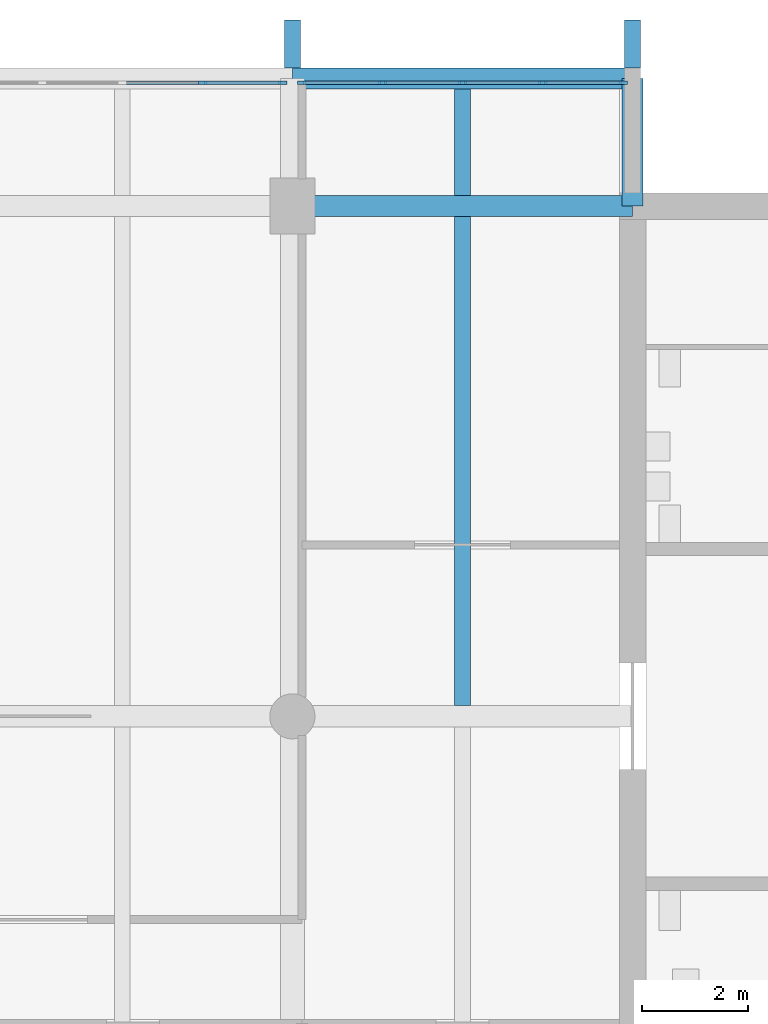
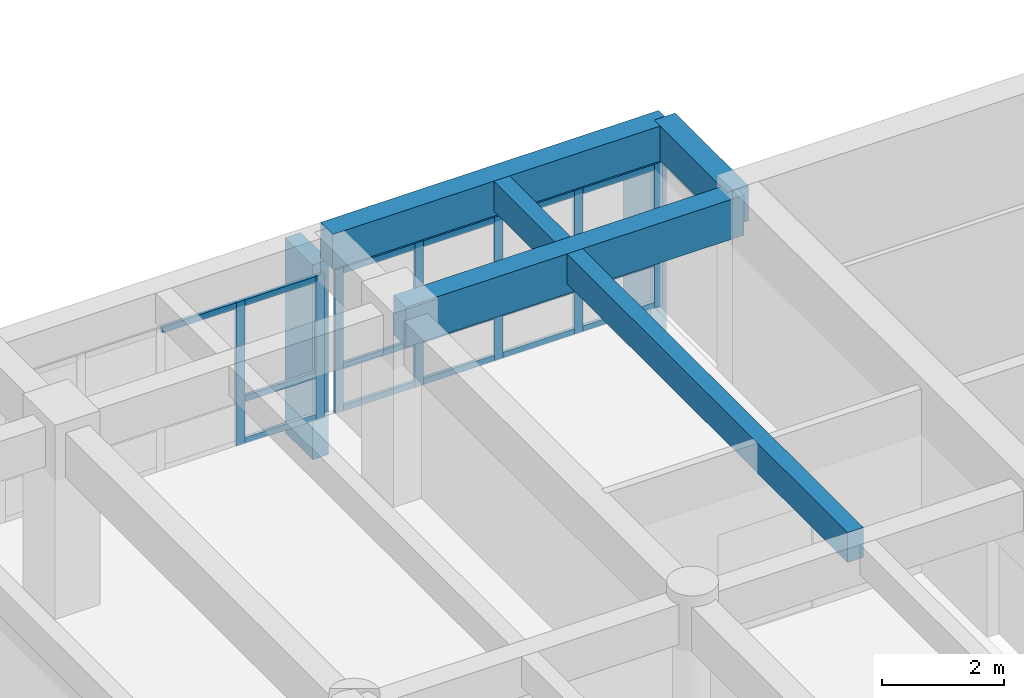
# One storey, part 6 of 15: 25 members, 5 beams, 2 elements without a shape of their own.
"""IFC4 building model written with IfcOpenShell, lengths in metres."""

from ifc_helpers import new_model, si_unit, direction, frame, origin, origin_2d, place, context, subcontext, project, spatial, rectangle, extrude, material, layer, layer_set, material_profile, profile_set, type_object, element, aggregate, save


model = new_model("IFC4")

# Units and contexts
model_context = context("Model", 3, precision=1e-05, world=origin(), true_north=direction((0.0, 1.0)))
body_context = subcontext(model_context, "Body", "Model", "MODEL_VIEW")
ifc_project = project(units=[si_unit("LENGTHUNIT", "METRE"), si_unit("AREAUNIT", "SQUARE_METRE"), si_unit("VOLUMEUNIT", "CUBIC_METRE"), si_unit("PLANEANGLEUNIT", "RADIAN"), si_unit("MASSUNIT", "GRAM", prefix="KILO")], contexts=[model_context])

# Site, building, storey
site_placement = place(None, origin())
site = spatial("IfcSite", under=ifc_project, at=site_placement, CompositionType="ELEMENT")
building_placement = place(site_placement, origin())
building = spatial("IfcBuilding", under=site, at=building_placement, Name="Fogon Plaza Fire Station and Headquarters Tower", CompositionType="ELEMENT")
storey_placement = place(building_placement, frame((0.0, 0.0, 56.10009765625)))
storey = spatial("IfcBuildingStorey", under=building, at=storey_placement, Name="L14", CompositionType="ELEMENT", Elevation=56.10009765625)

# Beams
ifc_material_1 = material(Name="Concrete C40", Category="concrete")
ifc_material_profile_1 = material_profile(ifc_material_1, rectangle(XDim=0.39990234375, YDim=0.699951171875, at=origin_2d()), Name="RC 400x700")
ifc_profile_set_1 = profile_set([ifc_material_profile_1], Name="Concrete C40")
beam_type_1 = type_object("IfcBeamType", Name="BEAM RC 400x700", PredefinedType="BEAM", material=ifc_profile_set_1)
beam_1_placement = place(storey_placement, frame((57.60009765625, 55.199951171875, 3.329833984375), z_axis=(1.0, 0.0, 0.0), x_axis=(0.0, 1.0, 0.0)))
element("IfcBeam", 1, at=beam_1_placement, inside=storey, type_object=beam_type_1, Name="beam-L14-050", PredefinedType="BEAM", context=body_context, shape_type="SweptSolid", body=[
    extrude(rectangle(XDim=0.39990234375, YDim=0.699951171875, at=origin_2d()), origin(), (0.0, 0.0, 1.0), 6.39990234375),
])
ifc_material_2 = material(Name="Concrete C40", Category="concrete")
ifc_material_profile_2 = material_profile(ifc_material_2, rectangle(XDim=0.39990234375, YDim=0.699951171875, at=origin_2d()), Name="RC 400x700")
ifc_profile_set_2 = profile_set([ifc_material_profile_2], Name="Concrete C40")
beam_type_2 = type_object("IfcBeamType", Name="BEAM RC 400x700 SPAN 0.0 TO 3.0 M", PredefinedType="BEAM", material=ifc_profile_set_2)
beam_2_placement = place(storey_placement, frame((64.0, 52.800048828125, 3.329833984375), z_axis=(0.0, 1.0, 0.0), x_axis=(-1.0, 0.0, 0.0)))
element("IfcBeam", 2, at=beam_2_placement, inside=storey, type_object=beam_type_2, Name="beam-L14-054", PredefinedType="BEAM", context=body_context, shape_type="SweptSolid", body=[
    extrude(rectangle(XDim=0.39990234375, YDim=0.699951171875, at=origin_2d()), origin(), (0.0, 0.0, 1.0), 2.39990234375),
])
ifc_material_3 = material(Name="Concrete C40", Category="concrete")
ifc_material_profile_3 = material_profile(ifc_material_3, rectangle(XDim=0.39990234375, YDim=0.800048828125, at=origin_2d()), Name="RC 400x800")
ifc_profile_set_3 = profile_set([ifc_material_profile_3], Name="Concrete C40")
beam_type_3 = type_object("IfcBeamType", Name="BEAM RC 400x800", PredefinedType="BEAM", material=ifc_profile_set_3)
beam_3_placement = place(storey_placement, frame((57.60009765625, 52.800048828125, 3.27978515625), z_axis=(1.0, 0.0, 0.0), x_axis=(0.0, 1.0, 0.0)))
element("IfcBeam", 3, at=beam_3_placement, inside=storey, type_object=beam_type_3, Name="beam-L14-038", PredefinedType="BEAM", context=body_context, shape_type="SweptSolid", body=[
    extrude(rectangle(XDim=0.39990234375, YDim=0.800048828125, at=origin_2d()), origin(), (0.0, 0.0, 1.0), 6.39990234375),
])

# Curtain wall, members
ifc_material_4 = material(Name="Aluminium and glass", Category="aluminium")
ifc_layer = layer(ifc_material_4, 0.14990234375)
ifc_layer_set = layer_set([ifc_layer], Name="Aluminium and glass")
curtain_wall_type = type_object("IfcCurtainWallType", Name="Unitised Curtain Wall Run 6100x2880", PredefinedType="NOTDEFINED", material=ifc_layer_set)
curtain_wall_1_placement = place(storey_placement, origin())
curtain_wall_1 = element("IfcCurtainWall", 4, at=curtain_wall_1_placement, inside=storey, type_object=curtain_wall_type, Name="CW-6100x2880 N5 L14", PredefinedType="NOTDEFINED")
ifc_material_5 = material(Name="Aluminium", Category="aluminium")
ifc_material_profile_4 = material_profile(ifc_material_5, rectangle(XDim=0.06005859375, YDim=0.159912109375, at=origin_2d()), Name="Curtain Wall Mullion 60x160")
ifc_profile_set_4 = profile_set([ifc_material_profile_4], Name="Aluminium")
member_type_1 = type_object("IfcMemberType", Name="Curtain Wall Mullion 60x160", PredefinedType="MULLION", material=ifc_profile_set_4)
member_1_placement = place(storey_placement, frame((55.909912109375, 55.1201171875, 0.0), z_axis=(0.0, 0.0, 1.0), x_axis=(0.0, 1.0, 0.0)))
member_1 = element("IfcMember", 5, at=member_1_placement, type_object=member_type_1, Name="CW-6100x2880 mullion 4", PredefinedType="MULLION", context=body_context, shape_type="SweptSolid", body=[
    extrude(rectangle(XDim=0.06005859375, YDim=0.159912109375, at=origin_2d()), origin(), (0.0, 0.0, 1.0), 2.8798828125),
])
member_2_placement = place(storey_placement, frame((57.419921875, 55.1201171875, 0.0), z_axis=(0.0, 0.0, 1.0), x_axis=(0.0, 1.0, 0.0)))
member_2 = element("IfcMember", 6, at=member_2_placement, type_object=member_type_1, Name="CW-6100x2880 mullion 5", PredefinedType="MULLION", context=body_context, shape_type="SweptSolid", body=[
    extrude(rectangle(XDim=0.06005859375, YDim=0.159912109375, at=origin_2d()), origin(), (0.0, 0.0, 1.0), 2.8798828125),
])

curtain_wall_2_placement = place(storey_placement, origin())
curtain_wall_2 = element("IfcCurtainWall", 7, at=curtain_wall_2_placement, inside=storey, type_object=curtain_wall_type, Name="CW-6100x2880 N6 L14", PredefinedType="NOTDEFINED")
member_3_placement = place(storey_placement, frame((57.780029296875, 55.1201171875, 0.0), z_axis=(0.0, 0.0, 1.0), x_axis=(0.0, 1.0, 0.0)))
member_3 = element("IfcMember", 8, at=member_3_placement, type_object=member_type_1, Name="CW-6100x2880 mullion 1", PredefinedType="MULLION", context=body_context, shape_type="SweptSolid", body=[
    extrude(rectangle(XDim=0.06005859375, YDim=0.159912109375, at=origin_2d()), origin(), (0.0, 0.0, 1.0), 2.8798828125),
])
member_4_placement = place(storey_placement, frame((59.2900390625, 55.1201171875, 0.0), z_axis=(0.0, 0.0, 1.0), x_axis=(0.0, 1.0, 0.0)))
member_4 = element("IfcMember", 9, at=member_4_placement, type_object=member_type_1, Name="CW-6100x2880 mullion 2", PredefinedType="MULLION", context=body_context, shape_type="SweptSolid", body=[
    extrude(rectangle(XDim=0.06005859375, YDim=0.159912109375, at=origin_2d()), origin(), (0.0, 0.0, 1.0), 2.8798828125),
])
member_5_placement = place(storey_placement, frame((60.800048828125, 55.1201171875, 0.0), z_axis=(0.0, 0.0, 1.0), x_axis=(0.0, 1.0, 0.0)))
member_5 = element("IfcMember", 10, at=member_5_placement, type_object=member_type_1, Name="CW-6100x2880 mullion 3", PredefinedType="MULLION", context=body_context, shape_type="SweptSolid", body=[
    extrude(rectangle(XDim=0.06005859375, YDim=0.159912109375, at=origin_2d()), origin(), (0.0, 0.0, 1.0), 2.8798828125),
])
member_6_placement = place(storey_placement, frame((62.31005859375, 55.1201171875, 0.0), z_axis=(0.0, 0.0, 1.0), x_axis=(0.0, 1.0, 0.0)))
member_6 = element("IfcMember", 11, at=member_6_placement, type_object=member_type_1, Name="CW-6100x2880 mullion 4", PredefinedType="MULLION", context=body_context, shape_type="SweptSolid", body=[
    extrude(rectangle(XDim=0.06005859375, YDim=0.159912109375, at=origin_2d()), origin(), (0.0, 0.0, 1.0), 2.8798828125),
])
member_7_placement = place(storey_placement, frame((63.820068359375, 55.1201171875, 0.0), z_axis=(0.0, 0.0, 1.0), x_axis=(0.0, 1.0, 0.0)))
member_7 = element("IfcMember", 12, at=member_7_placement, type_object=member_type_1, Name="CW-6100x2880 mullion 5", PredefinedType="MULLION", context=body_context, shape_type="SweptSolid", body=[
    extrude(rectangle(XDim=0.06005859375, YDim=0.159912109375, at=origin_2d()), origin(), (0.0, 0.0, 1.0), 2.8798828125),
])

# Member
ifc_material_6 = material(Name="Aluminium", Category="aluminium")
ifc_material_profile_5 = material_profile(ifc_material_6, rectangle(XDim=0.06005859375, YDim=0.1201171875, at=origin_2d()), Name="Curtain Wall Transom 60x120")
ifc_profile_set_5 = profile_set([ifc_material_profile_5], Name="Aluminium")
member_type_2 = type_object("IfcMemberType", Name="Curtain Wall Transom 60x120", PredefinedType="USERDEFINED", material=ifc_profile_set_5)
member_8_placement = place(storey_placement, frame((54.429931640625, 55.1201171875, 2.81982421875), z_axis=(1.0, 0.0, 0.0), x_axis=(0.0, 1.0, 0.0)))
member_8 = element("IfcMember", 13, at=member_8_placement, type_object=member_type_2, Name="CW-6100x2880 transom 3.3", ObjectType="TRANSOM", PredefinedType="USERDEFINED", context=body_context, shape_type="SweptSolid", body=[
    extrude(rectangle(XDim=0.06005859375, YDim=0.1201171875, at=origin_2d()), origin(), (0.0, 0.0, 1.0), 1.449951171875),
])

member_9_placement = place(storey_placement, frame((55.93994140625, 55.1201171875, 0.059814453125), z_axis=(1.0, 0.0, 0.0), x_axis=(0.0, 1.0, 0.0)))
member_9 = element("IfcMember", 14, at=member_9_placement, type_object=member_type_2, Name="CW-6100x2880 transom 4.1", ObjectType="TRANSOM", PredefinedType="USERDEFINED", context=body_context, shape_type="SweptSolid", body=[
    extrude(rectangle(XDim=0.06005859375, YDim=0.1201171875, at=origin_2d()), origin(), (0.0, 0.0, 1.0), 1.449951171875),
])

member_10_placement = place(storey_placement, frame((55.93994140625, 55.1201171875, 0.89990234375), z_axis=(1.0, 0.0, 0.0), x_axis=(0.0, 1.0, 0.0)))
member_10 = element("IfcMember", 15, at=member_10_placement, type_object=member_type_2, Name="CW-6100x2880 transom 4.2", ObjectType="TRANSOM", PredefinedType="USERDEFINED", context=body_context, shape_type="SweptSolid", body=[
    extrude(rectangle(XDim=0.06005859375, YDim=0.1201171875, at=origin_2d()), origin(), (0.0, 0.0, 1.0), 1.449951171875),
])

member_11_placement = place(storey_placement, frame((55.93994140625, 55.1201171875, 2.81982421875), z_axis=(1.0, 0.0, 0.0), x_axis=(0.0, 1.0, 0.0)))
member_11 = element("IfcMember", 16, at=member_11_placement, type_object=member_type_2, Name="CW-6100x2880 transom 4.3", ObjectType="TRANSOM", PredefinedType="USERDEFINED", context=body_context, shape_type="SweptSolid", body=[
    extrude(rectangle(XDim=0.06005859375, YDim=0.1201171875, at=origin_2d()), origin(), (0.0, 0.0, 1.0), 1.449951171875),
])

aggregate(curtain_wall_1, [member_1, member_2, member_8, member_9, member_10, member_11])

member_12_placement = place(storey_placement, frame((57.81005859375, 55.1201171875, 0.059814453125), z_axis=(1.0, 0.0, 0.0), x_axis=(0.0, 1.0, 0.0)))
member_12 = element("IfcMember", 17, at=member_12_placement, type_object=member_type_2, Name="CW-6100x2880 transom 1.1", ObjectType="TRANSOM", PredefinedType="USERDEFINED", context=body_context, shape_type="SweptSolid", body=[
    extrude(rectangle(XDim=0.06005859375, YDim=0.1201171875, at=origin_2d()), origin(), (0.0, 0.0, 1.0), 1.449951171875),
])

member_13_placement = place(storey_placement, frame((57.81005859375, 55.1201171875, 0.89990234375), z_axis=(1.0, 0.0, 0.0), x_axis=(0.0, 1.0, 0.0)))
member_13 = element("IfcMember", 18, at=member_13_placement, type_object=member_type_2, Name="CW-6100x2880 transom 1.2", ObjectType="TRANSOM", PredefinedType="USERDEFINED", context=body_context, shape_type="SweptSolid", body=[
    extrude(rectangle(XDim=0.06005859375, YDim=0.1201171875, at=origin_2d()), origin(), (0.0, 0.0, 1.0), 1.449951171875),
])

member_14_placement = place(storey_placement, frame((57.81005859375, 55.1201171875, 2.81982421875), z_axis=(1.0, 0.0, 0.0), x_axis=(0.0, 1.0, 0.0)))
member_14 = element("IfcMember", 19, at=member_14_placement, type_object=member_type_2, Name="CW-6100x2880 transom 1.3", ObjectType="TRANSOM", PredefinedType="USERDEFINED", context=body_context, shape_type="SweptSolid", body=[
    extrude(rectangle(XDim=0.06005859375, YDim=0.1201171875, at=origin_2d()), origin(), (0.0, 0.0, 1.0), 1.449951171875),
])

member_15_placement = place(storey_placement, frame((59.320068359375, 55.1201171875, 0.059814453125), z_axis=(1.0, 0.0, 0.0), x_axis=(0.0, 1.0, 0.0)))
member_15 = element("IfcMember", 20, at=member_15_placement, type_object=member_type_2, Name="CW-6100x2880 transom 2.1", ObjectType="TRANSOM", PredefinedType="USERDEFINED", context=body_context, shape_type="SweptSolid", body=[
    extrude(rectangle(XDim=0.06005859375, YDim=0.1201171875, at=origin_2d()), origin(), (0.0, 0.0, 1.0), 1.449951171875),
])

member_16_placement = place(storey_placement, frame((59.320068359375, 55.1201171875, 0.89990234375), z_axis=(1.0, 0.0, 0.0), x_axis=(0.0, 1.0, 0.0)))
member_16 = element("IfcMember", 21, at=member_16_placement, type_object=member_type_2, Name="CW-6100x2880 transom 2.2", ObjectType="TRANSOM", PredefinedType="USERDEFINED", context=body_context, shape_type="SweptSolid", body=[
    extrude(rectangle(XDim=0.06005859375, YDim=0.1201171875, at=origin_2d()), origin(), (0.0, 0.0, 1.0), 1.449951171875),
])

member_17_placement = place(storey_placement, frame((59.320068359375, 55.1201171875, 2.81982421875), z_axis=(1.0, 0.0, 0.0), x_axis=(0.0, 1.0, 0.0)))
member_17 = element("IfcMember", 22, at=member_17_placement, type_object=member_type_2, Name="CW-6100x2880 transom 2.3", ObjectType="TRANSOM", PredefinedType="USERDEFINED", context=body_context, shape_type="SweptSolid", body=[
    extrude(rectangle(XDim=0.06005859375, YDim=0.1201171875, at=origin_2d()), origin(), (0.0, 0.0, 1.0), 1.449951171875),
])

member_18_placement = place(storey_placement, frame((60.830078125, 55.1201171875, 0.059814453125), z_axis=(1.0, 0.0, 0.0), x_axis=(0.0, 1.0, 0.0)))
member_18 = element("IfcMember", 23, at=member_18_placement, type_object=member_type_2, Name="CW-6100x2880 transom 3.1", ObjectType="TRANSOM", PredefinedType="USERDEFINED", context=body_context, shape_type="SweptSolid", body=[
    extrude(rectangle(XDim=0.06005859375, YDim=0.1201171875, at=origin_2d()), origin(), (0.0, 0.0, 1.0), 1.449951171875),
])

member_19_placement = place(storey_placement, frame((60.830078125, 55.1201171875, 0.89990234375), z_axis=(1.0, 0.0, 0.0), x_axis=(0.0, 1.0, 0.0)))
member_19 = element("IfcMember", 24, at=member_19_placement, type_object=member_type_2, Name="CW-6100x2880 transom 3.2", ObjectType="TRANSOM", PredefinedType="USERDEFINED", context=body_context, shape_type="SweptSolid", body=[
    extrude(rectangle(XDim=0.06005859375, YDim=0.1201171875, at=origin_2d()), origin(), (0.0, 0.0, 1.0), 1.449951171875),
])

member_20_placement = place(storey_placement, frame((60.830078125, 55.1201171875, 2.81982421875), z_axis=(1.0, 0.0, 0.0), x_axis=(0.0, 1.0, 0.0)))
member_20 = element("IfcMember", 25, at=member_20_placement, type_object=member_type_2, Name="CW-6100x2880 transom 3.3", ObjectType="TRANSOM", PredefinedType="USERDEFINED", context=body_context, shape_type="SweptSolid", body=[
    extrude(rectangle(XDim=0.06005859375, YDim=0.1201171875, at=origin_2d()), origin(), (0.0, 0.0, 1.0), 1.449951171875),
])

member_21_placement = place(storey_placement, frame((62.340087890625, 55.1201171875, 0.059814453125), z_axis=(1.0, 0.0, 0.0), x_axis=(0.0, 1.0, 0.0)))
member_21 = element("IfcMember", 26, at=member_21_placement, type_object=member_type_2, Name="CW-6100x2880 transom 4.1", ObjectType="TRANSOM", PredefinedType="USERDEFINED", context=body_context, shape_type="SweptSolid", body=[
    extrude(rectangle(XDim=0.06005859375, YDim=0.1201171875, at=origin_2d()), origin(), (0.0, 0.0, 1.0), 1.449951171875),
])

member_22_placement = place(storey_placement, frame((62.340087890625, 55.1201171875, 0.89990234375), z_axis=(1.0, 0.0, 0.0), x_axis=(0.0, 1.0, 0.0)))
member_22 = element("IfcMember", 27, at=member_22_placement, type_object=member_type_2, Name="CW-6100x2880 transom 4.2", ObjectType="TRANSOM", PredefinedType="USERDEFINED", context=body_context, shape_type="SweptSolid", body=[
    extrude(rectangle(XDim=0.06005859375, YDim=0.1201171875, at=origin_2d()), origin(), (0.0, 0.0, 1.0), 1.449951171875),
])

member_23_placement = place(storey_placement, frame((62.340087890625, 55.1201171875, 2.81982421875), z_axis=(1.0, 0.0, 0.0), x_axis=(0.0, 1.0, 0.0)))
member_23 = element("IfcMember", 28, at=member_23_placement, type_object=member_type_2, Name="CW-6100x2880 transom 4.3", ObjectType="TRANSOM", PredefinedType="USERDEFINED", context=body_context, shape_type="SweptSolid", body=[
    extrude(rectangle(XDim=0.06005859375, YDim=0.1201171875, at=origin_2d()), origin(), (0.0, 0.0, 1.0), 1.449951171875),
])

aggregate(curtain_wall_2, [member_3, member_4, member_5, member_6, member_7, member_12, member_13, member_14, member_15, member_16, member_17, member_18, member_19, member_20, member_21, member_22, member_23])

# Beams
ifc_material_7 = material(Name="Concrete C40", Category="concrete")
ifc_material_profile_6 = material_profile(ifc_material_7, rectangle(XDim=0.300048828125, YDim=0.60009765625, at=origin_2d()), Name="RC 300x600")
ifc_profile_set_6 = profile_set([ifc_material_profile_6], Name="Concrete C40")
beam_type_4 = type_object("IfcBeamType", Name="JOIST RC 300x600", PredefinedType="JOIST", material=ifc_profile_set_6)
beam_4_placement = place(storey_placement, frame((60.800048828125, 43.39990234375, 3.3798828125), z_axis=(0.0, 1.0, 0.0), x_axis=(-1.0, 0.0, 0.0)))
element("IfcBeam", 29, at=beam_4_placement, inside=storey, type_object=beam_type_4, Name="beam-L14-077", PredefinedType="JOIST", context=body_context, shape_type="SweptSolid", body=[
    extrude(rectangle(XDim=0.300048828125, YDim=0.60009765625, at=origin_2d()), origin(), (0.0, 0.0, 1.0), 9.2001953125),
])
ifc_material_8 = material(Name="Concrete C40", Category="concrete")
ifc_material_profile_7 = material_profile(ifc_material_8, rectangle(XDim=0.300048828125, YDim=0.60009765625, at=origin_2d()), Name="RC 300x600")
ifc_profile_set_7 = profile_set([ifc_material_profile_7], Name="Concrete C40")
beam_type_5 = type_object("IfcBeamType", Name="JOIST RC 300x600 SPAN 0.0 TO 3.0 M", PredefinedType="JOIST", material=ifc_profile_set_7)
beam_5_placement = place(storey_placement, frame((60.800048828125, 53.0, 3.3798828125), z_axis=(0.0, 1.0, 0.0), x_axis=(-1.0, 0.0, 0.0)))
element("IfcBeam", 30, at=beam_5_placement, inside=storey, type_object=beam_type_5, Name="beam-L14-078", PredefinedType="JOIST", context=body_context, shape_type="SweptSolid", body=[
    extrude(rectangle(XDim=0.300048828125, YDim=0.60009765625, at=origin_2d()), origin(), (0.0, 0.0, 1.0), 2.0),
])

# Members
ifc_material_9 = material(Name="Concrete C40 precast", Category="concrete")
ifc_material_profile_8 = material_profile(ifc_material_9, rectangle(XDim=0.300048828125, YDim=0.89990234375, at=origin_2d()), Name="Precast Concrete Post 300x900")
ifc_profile_set_8 = profile_set([ifc_material_profile_8], Name="Concrete C40 precast")
member_type_3 = type_object("IfcMemberType", Name="Precast Concrete Post 300x900", PredefinedType="POST", material=ifc_profile_set_8)
for number, where, z_axis, x_axis, name in (
    (31, (57.60009765625, 55.85009765625, -1.02001953125), (0.0, 0.0, 1.0), (1.0, 0.0, 0.0), "Precast Post N L14"),
    (32, (64.0, 55.85009765625, -1.02001953125), (0.0, 0.0, 1.0), (1.0, 0.0, 0.0), "Precast Post N L14"),
):
    element("IfcMember", number, at=place(storey_placement, frame(where, z_axis=z_axis, x_axis=x_axis)), inside=storey, type_object=member_type_3, Name=name, PredefinedType="POST", context=body_context, shape_type="SweptSolid", body=[
        extrude(rectangle(XDim=0.300048828125, YDim=0.89990234375, at=origin_2d()), origin(), (0.0, 0.0, 1.0), 3.89990234375),
    ])

save(model, "model.ifc")
